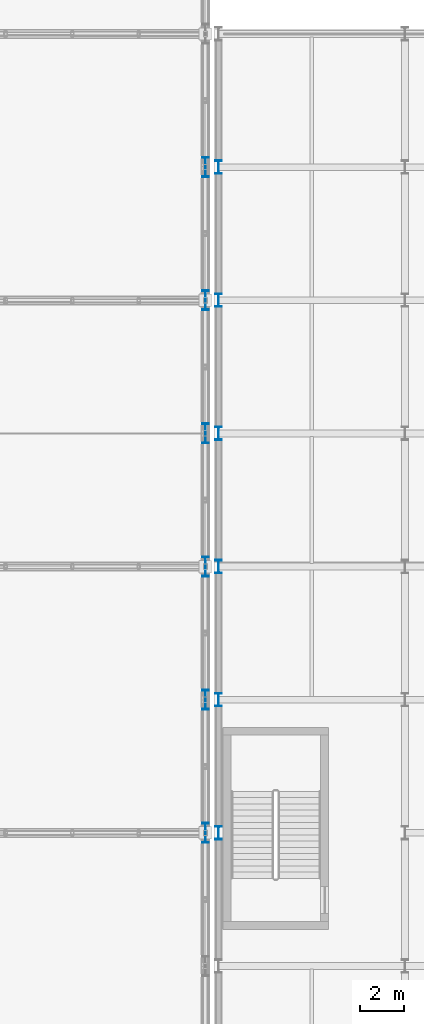
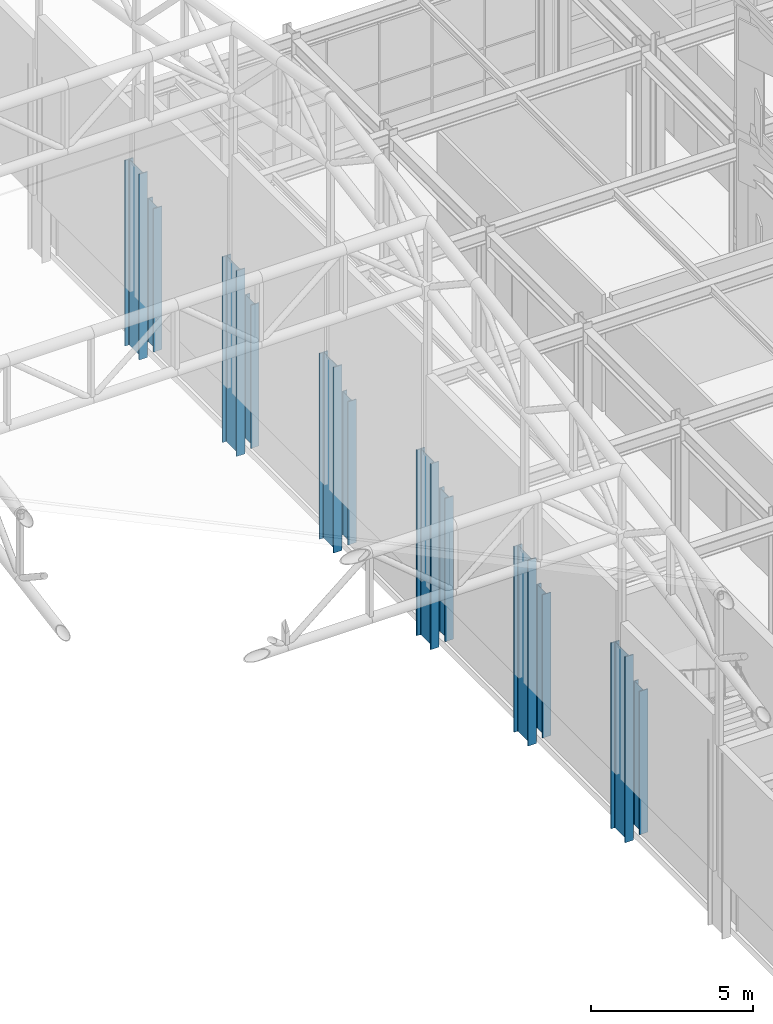
# One storey, part 13 of 239: 12 columns.
"""IFC4 building model written with IfcOpenShell, lengths in metres."""

from ifc_helpers import new_model, si_unit, direction, frame, origin, origin_2d, place, context, subcontext, project, spatial, i_section, extrude, material, material_profile, profile_set, type_object, element, save


model = new_model("IFC4")

# Units and contexts
model_context = context("Model", 3, precision=1e-05, world=origin(), true_north=direction((0.0, 1.0)))
body_context = subcontext(model_context, "Body", "Model", "MODEL_VIEW")
ifc_project = project(units=[si_unit("LENGTHUNIT", "METRE"), si_unit("AREAUNIT", "SQUARE_METRE"), si_unit("VOLUMEUNIT", "CUBIC_METRE"), si_unit("PLANEANGLEUNIT", "RADIAN"), si_unit("MASSUNIT", "GRAM", prefix="KILO")], contexts=[model_context])

# Site, building, storey
site_placement = place(None, origin())
site = spatial("IfcSite", under=ifc_project, at=site_placement, CompositionType="ELEMENT")
building_placement = place(site_placement, origin())
building = spatial("IfcBuilding", under=site, at=building_placement, Name="Kaldris Quays Convention Centre", CompositionType="ELEMENT")
storey_placement = place(building_placement, frame((0.0, 0.0, 11.39990234375)))
storey = spatial("IfcBuildingStorey", under=building, at=storey_placement, Name="L02", CompositionType="ELEMENT", Elevation=11.39990234375)

# Columns
ifc_material = material(Name="Steel S355J2", Category="steel")
ifc_material_profile_1 = material_profile(ifc_material, i_section(OverallWidth=0.300048828125, OverallDepth=0.89990234375, WebThickness=0.0185546875, FlangeThickness=0.034912109375, FilletRadius=0.030029296875, at=origin_2d()), Name="HEB 900")
ifc_profile_set_1 = profile_set([ifc_material_profile_1], Name="Steel S355J2")
column_type_1 = type_object("IfcColumnType", Name="STRUCTURAL COLUMN CL03", PredefinedType="COLUMN", material=ifc_profile_set_1)
for number, where, z_axis, x_axis, name in (
    (1, (146.0, 80.0, 0.0), (0.0, 0.0, 1.0), (1.0, 0.0, 0.0), "L02 V1 Column CL03 (146.00, 80.00)"),
    (2, (146.0, 86.0, 0.0), (0.0, 0.0, 1.0), (1.0, 0.0, 0.0), "L02 V1 Column CL03 (146.00, 86.00)"),
    (3, (146.0, 92.0, 0.0), (0.0, 0.0, 1.0), (1.0, 0.0, 0.0), "L02 V1 Column CL03 (146.00, 92.00)"),
    (4, (146.0, 98.0, 0.0), (0.0, 0.0, 1.0), (1.0, 0.0, 0.0), "L02 V1 Column CL03 (146.00, 98.00)"),
    (5, (146.0, 104.0, 0.0), (0.0, 0.0, 1.0), (1.0, 0.0, 0.0), "L02 V1 Column CL03 (146.00, 104.00)"),
    (6, (146.0, 110.0, 0.0), (0.0, 0.0, 1.0), (1.0, 0.0, 0.0), "L02 V1 Column CL03 (146.00, 110.00)"),
):
    element("IfcColumn", number, at=place(storey_placement, frame(where, z_axis=z_axis, x_axis=x_axis)), inside=storey, type_object=column_type_1, Name=name, PredefinedType="COLUMN", context=body_context, shape_type="SweptSolid", body=[
        extrude(i_section(OverallWidth=0.300048828125, OverallDepth=0.89990234375, WebThickness=0.0185546875, FlangeThickness=0.034912109375, FilletRadius=0.030029296875, at=origin_2d()), origin(), (0.0, 0.0, 1.0), 7.0),
    ])
ifc_material_profile_2 = material_profile(ifc_material, i_section(OverallWidth=0.300048828125, OverallDepth=0.60009765625, WebThickness=0.015380859375, FlangeThickness=0.030029296875, FilletRadius=0.027099609375, at=origin_2d()), Name="HEB 600")
ifc_profile_set_2 = profile_set([ifc_material_profile_2], Name="Steel S355J2")
column_type_2 = type_object("IfcColumnType", Name="STRUCTURAL COLUMN CL06", PredefinedType="COLUMN", material=ifc_profile_set_2)
for number, where, z_axis, x_axis, name in (
    (7, (146.60009765625, 80.0, 0.0), (0.0, 0.0, 1.0), (1.0, 0.0, 0.0), "L02 V4 Column CL06 (146.60, 80.00)"),
    (8, (146.60009765625, 86.0, 0.0), (0.0, 0.0, 1.0), (1.0, 0.0, 0.0), "L02 V4 Column CL06 (146.60, 86.00)"),
    (9, (146.60009765625, 92.0, 0.0), (0.0, 0.0, 1.0), (1.0, 0.0, 0.0), "L02 V4 Column CL06 (146.60, 92.00)"),
    (10, (146.60009765625, 98.0, 0.0), (0.0, 0.0, 1.0), (1.0, 0.0, 0.0), "L02 V4 Column CL06 (146.60, 98.00)"),
    (11, (146.60009765625, 104.0, 0.0), (0.0, 0.0, 1.0), (1.0, 0.0, 0.0), "L02 V4 Column CL06 (146.60, 104.00)"),
    (12, (146.60009765625, 110.0, 0.0), (0.0, 0.0, 1.0), (1.0, 0.0, 0.0), "L02 V4 Column CL06 (146.60, 110.00)"),
):
    element("IfcColumn", number, at=place(storey_placement, frame(where, z_axis=z_axis, x_axis=x_axis)), inside=storey, type_object=column_type_2, Name=name, PredefinedType="COLUMN", context=body_context, shape_type="SweptSolid", body=[
        extrude(i_section(OverallWidth=0.300048828125, OverallDepth=0.60009765625, WebThickness=0.015380859375, FlangeThickness=0.030029296875, FilletRadius=0.027099609375, at=origin_2d()), origin(), (0.0, 0.0, 1.0), 5.400146484375),
    ])

save(model, "model.ifc")
